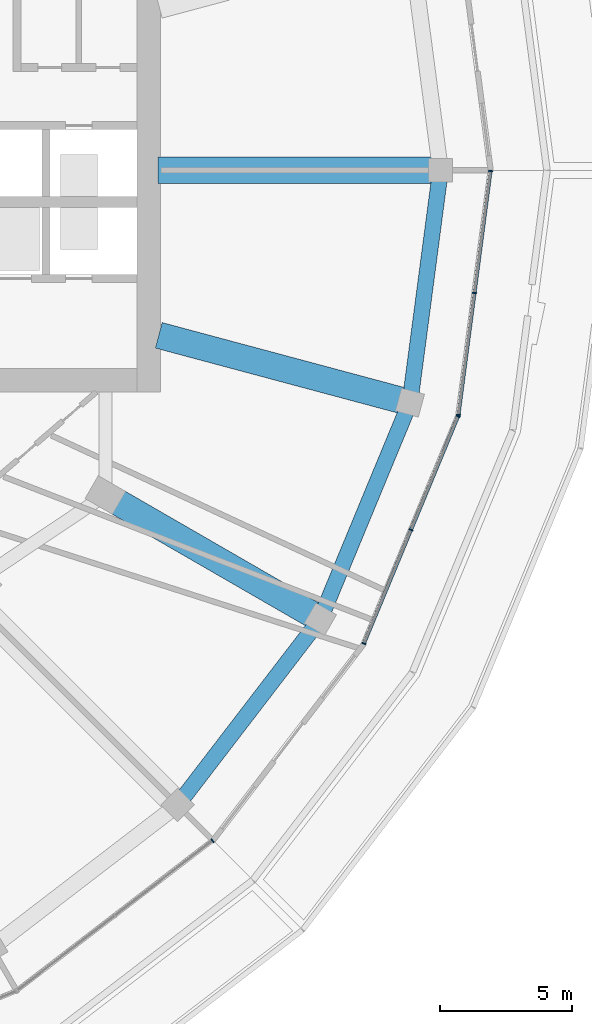
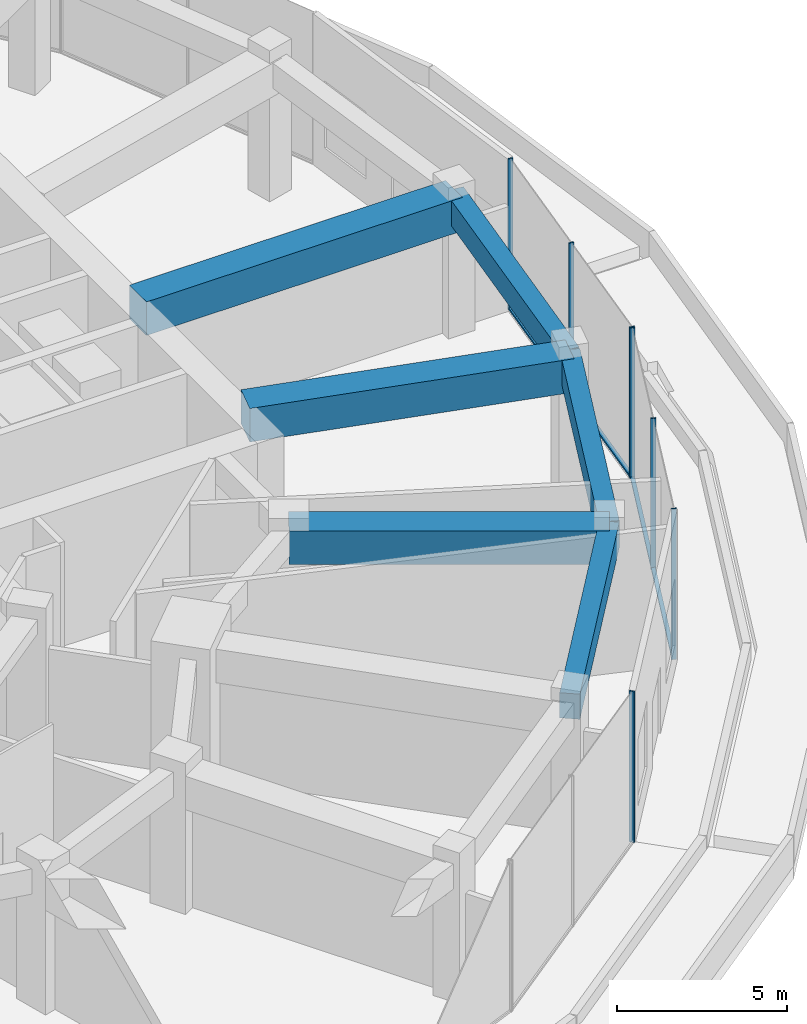
# One storey, part 10 of 26: 11 members, 6 beams, 3 elements without a shape of their own.
"""IFC4 building model written with IfcOpenShell, lengths in metres."""

import ifcopenshell
import ifcopenshell.guid

model = None  # the IFC model being written
_history = None  # IfcOwnerHistory: only IFC2X3 demands one
_inside = {}  # id of a spatial element -> (the spatial element, [elements in it])
_under = {}  # id of a project, library or spatial element -> (it, [spatial elements below it])
_declared = {}  # id of a project -> (the project, [libraries it declares])
_typed = {}  # id of a type object -> (the type object, [elements of that type])
_made_of = {}  # id of a material, layer set ... -> (it, [elements and type objects made of it])


def new_model(schema):
    """Start an empty IFC model of exactly this schema.

    Asked for "IFC4X3", IfcOpenShell would pick the latest addendum, in which some entities
    have other attributes; the version numbers below select the first issue.
    IFC2X3 requires an IfcOwnerHistory on every rooted entity: one is made here for all.
    """
    global model, _history
    if schema == "IFC4X3":
        model = ifcopenshell.file(schema_version=(4, 3, 0, 0))
    else:
        model = ifcopenshell.file(schema=schema)
    _inside.clear()
    _under.clear()
    _declared.clear()
    _typed.clear()
    _made_of.clear()
    _history = None
    if model.schema == "IFC2X3":
        org = make("IfcOrganization", Name="unknown")
        user = make(
            "IfcPersonAndOrganization",
            ThePerson=make("IfcPerson", FamilyName="unknown"),
            TheOrganization=org,
        )
        app = make(
            "IfcApplication",
            ApplicationDeveloper=org,
            Version="unknown",
            ApplicationFullName="unknown",
            ApplicationIdentifier="unknown",
        )
        _history = make(
            "IfcOwnerHistory",
            OwningUser=user,
            OwningApplication=app,
            ChangeAction="ADDED",
            CreationDate=0,
        )
    return model


def make(cls, **values):
    """One entity of the class cls with the attributes given. An attribute that is None is left unset."""
    return model.create_entity(
        cls, **{name: value for name, value in values.items() if value is not None}
    )


def rooted(cls, **values):
    """An entity with a GlobalId (a new one), such as an element, a storey or a relation."""
    return make(cls, GlobalId=ifcopenshell.guid.new(), OwnerHistory=_history, **values)


def si_unit(unit_type, name, prefix=None):
    """IfcSIUnit, for example si_unit("LENGTHUNIT", "METRE", prefix="MILLI")."""
    return make("IfcSIUnit", UnitType=unit_type, Prefix=prefix, Name=name)


def assignment(units):
    """IfcUnitAssignment: the units of a project."""
    return None if units is None else make("IfcUnitAssignment", Units=units)


def point(xyz):
    """IfcCartesianPoint."""
    return None if xyz is None else make("IfcCartesianPoint", Coordinates=xyz)


def direction(xyz):
    """IfcDirection."""
    return None if xyz is None else make("IfcDirection", DirectionRatios=xyz)


def frame(location, z_axis=None, x_axis=None):
    """IfcAxis2Placement3D, a coordinate frame: its origin and axes. An axis left out is left unset."""
    return make(
        "IfcAxis2Placement3D",
        Location=point(location),
        Axis=direction(z_axis),
        RefDirection=direction(x_axis),
    )


def frame_2d(location, x_axis=None):
    """IfcAxis2Placement2D, a coordinate frame in the plane: its origin and x axis."""
    return make(
        "IfcAxis2Placement2D", Location=point(location), RefDirection=direction(x_axis)
    )


def origin():
    """The frame at (0, 0, 0) with its axes left unset."""
    return frame((0.0, 0.0, 0.0))


def origin_2d():
    """The frame at (0, 0) in the plane with its x axis left unset."""
    return frame_2d((0.0, 0.0))


def place(relative_to, where):
    """IfcLocalPlacement: puts the frame where relative to a parent placement (None: the world)."""
    return make(
        "IfcLocalPlacement", PlacementRelTo=relative_to, RelativePlacement=where
    )


def context(
    kind, dimensions, precision=None, world=None, true_north=None, identifier=None
):
    """IfcGeometricRepresentationContext, for example the 3D "Model" context."""
    return make(
        "IfcGeometricRepresentationContext",
        ContextIdentifier=identifier,
        ContextType=kind,
        CoordinateSpaceDimension=dimensions,
        Precision=precision,
        WorldCoordinateSystem=world,
        TrueNorth=true_north,
    )


def subcontext(parent, identifier, kind, view, scale=None):
    """IfcGeometricRepresentationSubContext, for example "Body" below "Model"."""
    return make(
        "IfcGeometricRepresentationSubContext",
        ContextIdentifier=identifier,
        ContextType=kind,
        ParentContext=parent,
        TargetScale=scale,
        TargetView=view,
    )


def project(units=None, contexts=None):
    """IfcProject with its units and contexts."""
    return rooted(
        "IfcProject",
        Name="project",
        RepresentationContexts=contexts,
        UnitsInContext=assignment(units),
    )


def spatial(cls, under=None, at=None, **own):
    """A site, building, storey or space (cls), placed at a placement, below another one or the project."""
    s = rooted(cls, ObjectPlacement=at, **own)
    if under is not None:
        _under.setdefault(under.id(), (under, []))[1].append(s)
    return s


def profile(cls, at=None, kind="AREA", **sizes):
    """A parametric profile (cls). Its sizes go by their IFC names, for example OverallWidth=200.0."""
    return make(cls, ProfileType=kind, Position=at, **sizes)


def rectangle(**sizes):
    """IfcRectangleProfileDef."""
    return profile("IfcRectangleProfileDef", **sizes)


def extrude(swept, where, along, depth):
    """IfcExtrudedAreaSolid: the profile swept, set in the frame where, extruded along a direction by depth."""
    return make(
        "IfcExtrudedAreaSolid",
        SweptArea=swept,
        Position=where,
        ExtrudedDirection=direction(along),
        Depth=depth,
    )


def shape(context_of_items, identifier, shape_type, items):
    """IfcShapeRepresentation: the items that make up one representation, for example the "Body"."""
    return make(
        "IfcShapeRepresentation",
        ContextOfItems=context_of_items,
        RepresentationIdentifier=identifier,
        RepresentationType=shape_type,
        Items=items,
    )


def material(Name=None, Category=None):
    """IfcMaterial."""
    return make("IfcMaterial", Name=Name, Category=Category)


def layer(
    of_material, thickness, ventilated=None, Name=None, Category=None, Priority=None
):
    """IfcMaterialLayer: one layer of a wall or slab, of a material (None: an air gap)."""
    return make(
        "IfcMaterialLayer",
        Material=of_material,
        LayerThickness=thickness,
        IsVentilated=ventilated,
        Name=Name,
        Category=Category,
        Priority=Priority,
    )


def layer_set(layers, Name=None):
    """IfcMaterialLayerSet."""
    return make("IfcMaterialLayerSet", MaterialLayers=layers, LayerSetName=Name)


def material_profile(
    of_material, cross_section, Name=None, Category=None, Priority=None
):
    """IfcMaterialProfile: a cross section and its material."""
    return make(
        "IfcMaterialProfile",
        Name=Name,
        Material=of_material,
        Profile=cross_section,
        Priority=Priority,
        Category=Category,
    )


def profile_set(profiles, Name=None, composite=None):
    """IfcMaterialProfileSet."""
    return make(
        "IfcMaterialProfileSet",
        Name=Name,
        MaterialProfiles=profiles,
        CompositeProfile=composite,
    )


def made_of(thing, what):
    """Note that an element or type object is made of a material, layer set ...; save() writes the relation."""
    if what is not None:
        _made_of.setdefault(what.id(), (what, []))[1].append(thing)
    return thing


def type_object(cls, material=None, **own):
    """A type object (cls), such as IfcWallType, which elements share."""
    return made_of(rooted(cls, **own), material)


def element(
    cls,
    number,
    at=None,
    inside=None,
    cuts=None,
    type_object=None,
    material=None,
    context=None,
    identifier="Body",
    shape_type=None,
    held_by="IfcProductDefinitionShape",
    body=None,
    shapes=None,
    **own,
):
    """One element of the class cls, such as IfcWall. Its Tag is "e" and its number.

    at: its placement. inside: the storey or other place that contains it. cuts: it is an
    opening in that element (IfcRelVoidsElement). A single representation is given by context,
    identifier, shape_type and body (its items); several are given by shapes. held_by: the class
    of the entity that holds the representations. save() writes the other relations.
    """
    e = rooted(cls, Tag="e%d" % number, ObjectPlacement=at, **own)
    if body is not None:
        shapes = [shape(context, identifier, shape_type, body)]
    if shapes is not None:
        e.Representation = make(held_by, Representations=shapes)
    if inside is not None:
        _inside.setdefault(inside.id(), (inside, []))[1].append(e)
    if cuts is not None:
        rooted(
            "IfcRelVoidsElement", RelatingBuildingElement=cuts, RelatedOpeningElement=e
        )
    if type_object is not None:
        _typed.setdefault(type_object.id(), (type_object, []))[1].append(e)
    return made_of(e, material)


def aggregate(whole, parts):
    """IfcRelAggregates: a whole, such as a stair, and the parts it consists of."""
    return rooted("IfcRelAggregates", RelatingObject=whole, RelatedObjects=parts)


def save(model, path):
    """Write the relations noted so far, then the file.

    IfcRelAggregates (storeys below a building ...), IfcRelContainedInSpatialStructure (elements
    in a storey), IfcRelDefinesByType, IfcRelAssociatesMaterial and IfcRelDeclares: one each for
    every whole, place, type object, material and project.
    """
    for whole, parts in _under.values():
        aggregate(whole, parts)
    for where, things in _inside.values():
        rooted(
            "IfcRelContainedInSpatialStructure",
            RelatedElements=things,
            RelatingStructure=where,
        )
    for kind, things in _typed.values():
        rooted("IfcRelDefinesByType", RelatedObjects=things, RelatingType=kind)
    for what, things in _made_of.values():
        rooted("IfcRelAssociatesMaterial", RelatedObjects=things, RelatingMaterial=what)
    for by, libraries in _declared.values():
        rooted("IfcRelDeclares", RelatingContext=by, RelatedDefinitions=libraries)
    model.write(path)


model = new_model("IFC4")

# Units and contexts
model_context = context("Model", 3, precision=1e-05, world=origin(), true_north=direction((0.0, 1.0)))
body_context = subcontext(model_context, "Body", "Model", "MODEL_VIEW")
ifc_project = project(units=[si_unit("LENGTHUNIT", "METRE"), si_unit("AREAUNIT", "SQUARE_METRE"), si_unit("VOLUMEUNIT", "CUBIC_METRE"), si_unit("PLANEANGLEUNIT", "RADIAN"), si_unit("MASSUNIT", "GRAM", prefix="KILO")], contexts=[model_context])

# Site, building, storey
site_placement = place(None, origin())
site = spatial("IfcSite", under=ifc_project, at=site_placement, CompositionType="ELEMENT")
building_placement = place(site_placement, origin())
building = spatial("IfcBuilding", under=site, at=building_placement, Name="Torre Brocal", CompositionType="ELEMENT")
storey_placement = place(building_placement, frame((0.0, 0.0, 12.39990234375)))
storey = spatial("IfcBuildingStorey", under=building, at=storey_placement, Name="L02", CompositionType="ELEMENT", Elevation=12.39990234375)

# Curtain wall, member
ifc_material_1 = material(Name="Aluminium and glass", Category="aluminium")
ifc_layer = layer(ifc_material_1, 0.199951171875)
ifc_layer_set = layer_set([ifc_layer], Name="Aluminium and glass")
curtain_wall_type = type_object("IfcCurtainWallType", Name="CW-6 CURTAIN WALL 5400 HIGH", PredefinedType="NOTDEFINED", material=ifc_layer_set)
curtain_wall_1_placement = place(storey_placement, origin())
curtain_wall_1 = element("IfcCurtainWall", 1, at=curtain_wall_1_placement, inside=storey, type_object=curtain_wall_type, Name="CW-6 RUN 21", PredefinedType="NOTDEFINED")
ifc_material_2 = material(Name="Aluminium, dark anodised", Category="aluminium")
ifc_material_profile_1 = material_profile(ifc_material_2, rectangle(XDim=0.159912109375, YDim=0.050048828125, at=origin_2d()), Name="CW-6 MULLION 50X160")
ifc_profile_set_1 = profile_set([ifc_material_profile_1], Name="Aluminium, dark anodised")
member_type_1 = type_object("IfcMemberType", Name="CW-6 MULLION 50X160", PredefinedType="MULLION", material=ifc_profile_set_1)
member_1_placement = place(storey_placement, frame((105.36474609375, 49.600341796875, 0.0), z_axis=(0.0, 0.0, 1.0), x_axis=(-0.608761429009, 0.793353340291, 0.0)))
member_1 = element("IfcMember", 2, at=member_1_placement, type_object=member_type_1, Name="CW6-1 mullion 3", PredefinedType="MULLION", context=body_context, shape_type="SweptSolid", body=[
    extrude(rectangle(XDim=0.159912109375, YDim=0.050048828125, at=origin_2d()), origin(), (0.0, 0.0, 1.0), 5.400146484375),
])
aggregate(curtain_wall_1, [member_1])

# Curtain wall, members
curtain_wall_2_placement = place(storey_placement, origin())
curtain_wall_2 = element("IfcCurtainWall", 3, at=curtain_wall_2_placement, inside=storey, type_object=curtain_wall_type, Name="CW-6 RUN 23", PredefinedType="NOTDEFINED")
member_2_placement = place(storey_placement, frame((111.09912109375, 57.073486328125, 0.0), z_axis=(0.0, 0.0, 1.0), x_axis=(-0.923879532525, 0.382683432333, 0.0)))
member_2 = element("IfcMember", 4, at=member_2_placement, type_object=member_type_1, Name="CW6-1 mullion 1", PredefinedType="MULLION", context=body_context, shape_type="SweptSolid", body=[
    extrude(rectangle(XDim=0.159912109375, YDim=0.050048828125, at=origin_2d()), origin(), (0.0, 0.0, 1.0), 5.400146484375),
])
member_3_placement = place(storey_placement, frame((112.8828125, 61.379638671875, 0.0), z_axis=(0.0, 0.0, 1.0), x_axis=(-0.923879532525, 0.382683432333, 0.0)))
member_3 = element("IfcMember", 5, at=member_3_placement, type_object=member_type_1, Name="CW6-1 mullion 2", PredefinedType="MULLION", context=body_context, shape_type="SweptSolid", body=[
    extrude(rectangle(XDim=0.159912109375, YDim=0.050048828125, at=origin_2d()), origin(), (0.0, 0.0, 1.0), 5.400146484375),
])
member_4_placement = place(storey_placement, frame((114.666259765625, 65.685546875, 0.0), z_axis=(0.0, 0.0, 1.0), x_axis=(-0.923879532525, 0.382683432333, 0.0)))
member_4 = element("IfcMember", 6, at=member_4_placement, type_object=member_type_1, Name="CW6-1 mullion 3", PredefinedType="MULLION", context=body_context, shape_type="SweptSolid", body=[
    extrude(rectangle(XDim=0.159912109375, YDim=0.050048828125, at=origin_2d()), origin(), (0.0, 0.0, 1.0), 5.400146484375),
])

curtain_wall_3_placement = place(storey_placement, origin())
curtain_wall_3 = element("IfcCurtainWall", 7, at=curtain_wall_3_placement, inside=storey, type_object=curtain_wall_type, Name="CW-6 RUN 24", PredefinedType="NOTDEFINED")
member_5_placement = place(storey_placement, frame((114.67919921875, 65.7333984375, 0.0), z_axis=(0.0, 0.0, 1.0), x_axis=(-0.991444861369, 0.130526192255, 0.0)))
member_5 = element("IfcMember", 8, at=member_5_placement, type_object=member_type_1, Name="CW6-1 mullion 1", PredefinedType="MULLION", context=body_context, shape_type="SweptSolid", body=[
    extrude(rectangle(XDim=0.159912109375, YDim=0.050048828125, at=origin_2d()), origin(), (0.0, 0.0, 1.0), 5.400146484375),
])
member_6_placement = place(storey_placement, frame((115.28759765625, 70.354248046875, 0.0), z_axis=(0.0, 0.0, 1.0), x_axis=(-0.991444861369, 0.130526192255, 0.0)))
member_6 = element("IfcMember", 9, at=member_6_placement, type_object=member_type_1, Name="CW6-1 mullion 2", PredefinedType="MULLION", context=body_context, shape_type="SweptSolid", body=[
    extrude(rectangle(XDim=0.159912109375, YDim=0.050048828125, at=origin_2d()), origin(), (0.0, 0.0, 1.0), 5.400146484375),
])
member_7_placement = place(storey_placement, frame((115.895751953125, 74.97509765625, 0.0), z_axis=(0.0, 0.0, 1.0), x_axis=(-0.991444861369, 0.130526192255, 0.0)))
member_7 = element("IfcMember", 10, at=member_7_placement, type_object=member_type_1, Name="CW6-1 mullion 3", PredefinedType="MULLION", context=body_context, shape_type="SweptSolid", body=[
    extrude(rectangle(XDim=0.159912109375, YDim=0.050048828125, at=origin_2d()), origin(), (0.0, 0.0, 1.0), 5.400146484375),
])

# Member
ifc_material_3 = material(Name="Aluminium, dark anodised", Category="aluminium")
ifc_material_profile_2 = material_profile(ifc_material_3, rectangle(XDim=0.1298828125, YDim=0.070068359375, at=origin_2d()), Name="CW-6 TRANSOM 130X70")
ifc_profile_set_2 = profile_set([ifc_material_profile_2], Name="Aluminium, dark anodised")
member_type_2 = type_object("IfcMemberType", Name="CW-6 TRANSOM 130X70", PredefinedType="USERDEFINED", material=ifc_profile_set_2)
member_8_placement = place(storey_placement, frame((111.108642578125, 57.0966796875, 0.03515625), z_axis=(0.382674472816, 0.923883243627, 0.0), x_axis=(-0.923883243627, 0.382674472816, 0.0)))
member_8 = element("IfcMember", 11, at=member_8_placement, type_object=member_type_2, Name="CW6-1 transom 1.1", ObjectType="TRANSOM", PredefinedType="USERDEFINED", context=body_context, shape_type="SweptSolid", body=[
    extrude(rectangle(XDim=0.1298828125, YDim=0.070068359375, at=origin_2d()), origin(), (0.0, 0.0, 1.0), 4.61083984375),
])

member_9_placement = place(storey_placement, frame((112.892333984375, 61.402587890625, 0.03515625), z_axis=(0.382674472816, 0.923883243627, 0.0), x_axis=(-0.923883243627, 0.382674472816, 0.0)))
member_9 = element("IfcMember", 12, at=member_9_placement, type_object=member_type_2, Name="CW6-1 transom 2.1", ObjectType="TRANSOM", PredefinedType="USERDEFINED", context=body_context, shape_type="SweptSolid", body=[
    extrude(rectangle(XDim=0.1298828125, YDim=0.070068359375, at=origin_2d()), origin(), (0.0, 0.0, 1.0), 4.61083984375),
])

aggregate(curtain_wall_2, [member_2, member_3, member_4, member_8, member_9])

member_10_placement = place(storey_placement, frame((114.682373046875, 65.75830078125, 0.03515625), z_axis=(0.130522998279, 0.991445281859, 0.0), x_axis=(-0.991445281859, 0.130522998279, 0.0)))
member_10 = element("IfcMember", 13, at=member_10_placement, type_object=member_type_2, Name="CW6-1 transom 1.1", ObjectType="TRANSOM", PredefinedType="USERDEFINED", context=body_context, shape_type="SweptSolid", body=[
    extrude(rectangle(XDim=0.1298828125, YDim=0.070068359375, at=origin_2d()), origin(), (0.0, 0.0, 1.0), 4.61083984375),
])

member_11_placement = place(storey_placement, frame((115.290771484375, 70.379150390625, 0.03515625), z_axis=(0.130522998279, 0.991445281859, 0.0), x_axis=(-0.991445281859, 0.130522998279, 0.0)))
member_11 = element("IfcMember", 14, at=member_11_placement, type_object=member_type_2, Name="CW6-1 transom 2.1", ObjectType="TRANSOM", PredefinedType="USERDEFINED", context=body_context, shape_type="SweptSolid", body=[
    extrude(rectangle(XDim=0.1298828125, YDim=0.070068359375, at=origin_2d()), origin(), (0.0, 0.0, 1.0), 4.61083984375),
])

aggregate(curtain_wall_3, [member_5, member_6, member_7, member_10, member_11])

# Beams
ifc_material_4 = material(Name="Concrete C50", Category="concrete")
ifc_material_profile_3 = material_profile(ifc_material_4, rectangle(XDim=0.60009765625, YDim=0.89990234375, at=origin_2d()), Name="RC 600X900")
ifc_profile_set_3 = profile_set([ifc_material_profile_3], Name="Concrete C50")
beam_type_1 = type_object("IfcBeamType", Name="RC BEAM 600X900 C50 TOP 4950", PredefinedType="BEAM", material=ifc_profile_set_3)
beam_1_placement = place(storey_placement, frame((104.041748046875, 50.958251953125, 4.5), z_axis=(0.608743902882, 0.793366788253, 0.0), x_axis=(-0.793366788253, 0.608743902882, 0.0)))
element("IfcBeam", 15, at=beam_1_placement, inside=storey, type_object=beam_type_1, Name="Beam BT-10", PredefinedType="BEAM", context=body_context, shape_type="SweptSolid", body=[
    extrude(rectangle(XDim=0.60009765625, YDim=0.89990234375, at=origin_2d()), origin(), (0.0, 0.0, 1.0), 8.875732421875),
])
beam_2_placement = place(storey_placement, frame((109.44482421875, 58.0, 4.5), z_axis=(0.382692703012, 0.923875692429, 0.0), x_axis=(-0.923875692429, 0.382692703012, 0.0)))
element("IfcBeam", 16, at=beam_2_placement, inside=storey, type_object=beam_type_1, Name="Beam BT-10", PredefinedType="BEAM", context=body_context, shape_type="SweptSolid", body=[
    extrude(rectangle(XDim=0.60009765625, YDim=0.89990234375, at=origin_2d()), origin(), (0.0, 0.0, 1.0), 8.8759765625),
])
beam_3_placement = place(storey_placement, frame((112.841552734375, 66.2001953125, 4.5), z_axis=(0.130518550679, 0.991445867372, 0.0), x_axis=(-0.991445867372, 0.130518550679, 0.0)))
element("IfcBeam", 17, at=beam_3_placement, inside=storey, type_object=beam_type_1, Name="Beam BT-10", PredefinedType="BEAM", context=body_context, shape_type="SweptSolid", body=[
    extrude(rectangle(XDim=0.60009765625, YDim=0.89990234375, at=origin_2d()), origin(), (0.0, 0.0, 1.0), 8.875732421875),
])
ifc_material_5 = material(Name="Concrete C60", Category="concrete")
ifc_material_profile_4 = material_profile(ifc_material_5, rectangle(XDim=1.0, YDim=1.199951171875, at=origin_2d()), Name="RC 1000X1200")
ifc_profile_set_4 = profile_set([ifc_material_profile_4], Name="Concrete C60")
beam_type_2 = type_object("IfcBeamType", Name="RC TRANSFER GIRDER 1000X1200 C60 TOP 4950", PredefinedType="BEAM", material=ifc_profile_set_4)
beam_4_placement = place(storey_placement, frame((101.30419921875, 62.699951171875, 4.35009765625), z_axis=(0.866027286158, -0.499996739618, 0.0), x_axis=(0.499996739618, 0.866027286158, 0.0)))
element("IfcBeam", 18, at=beam_4_placement, inside=storey, type_object=beam_type_2, Name="Beam TG-03", PredefinedType="BEAM", context=body_context, shape_type="SweptSolid", body=[
    extrude(rectangle(XDim=1.0, YDim=1.199951171875, at=origin_2d()), origin(), (0.0, 0.0, 1.0), 9.39990234375),
])
beam_5_placement = place(storey_placement, frame((103.300048828125, 75.0, 4.35009765625), z_axis=(1.0, 0.0, 0.0), x_axis=(0.0, 1.0, 0.0)))
element("IfcBeam", 19, at=beam_5_placement, inside=storey, type_object=beam_type_2, Name="Beam TG-03", PredefinedType="BEAM", context=body_context, shape_type="SweptSolid", body=[
    extrude(rectangle(XDim=1.0, YDim=1.199951171875, at=origin_2d()), origin(), (0.0, 0.0, 1.0), 10.699951171875),
])
beam_6_placement = place(storey_placement, frame((103.3271484375, 68.74951171875, 4.35009765625), z_axis=(0.965927362857, -0.258813310486, 0.0), x_axis=(0.258813310486, 0.965927362857, 0.0)))
element("IfcBeam", 20, at=beam_6_placement, inside=storey, type_object=beam_type_2, Name="Beam TG-03", PredefinedType="BEAM", context=body_context, shape_type="SweptSolid", body=[
    extrude(rectangle(XDim=1.0, YDim=1.199951171875, at=origin_2d()), origin(), (0.0, 0.0, 1.0), 9.85009765625),
])

save(model, "model.ifc")
